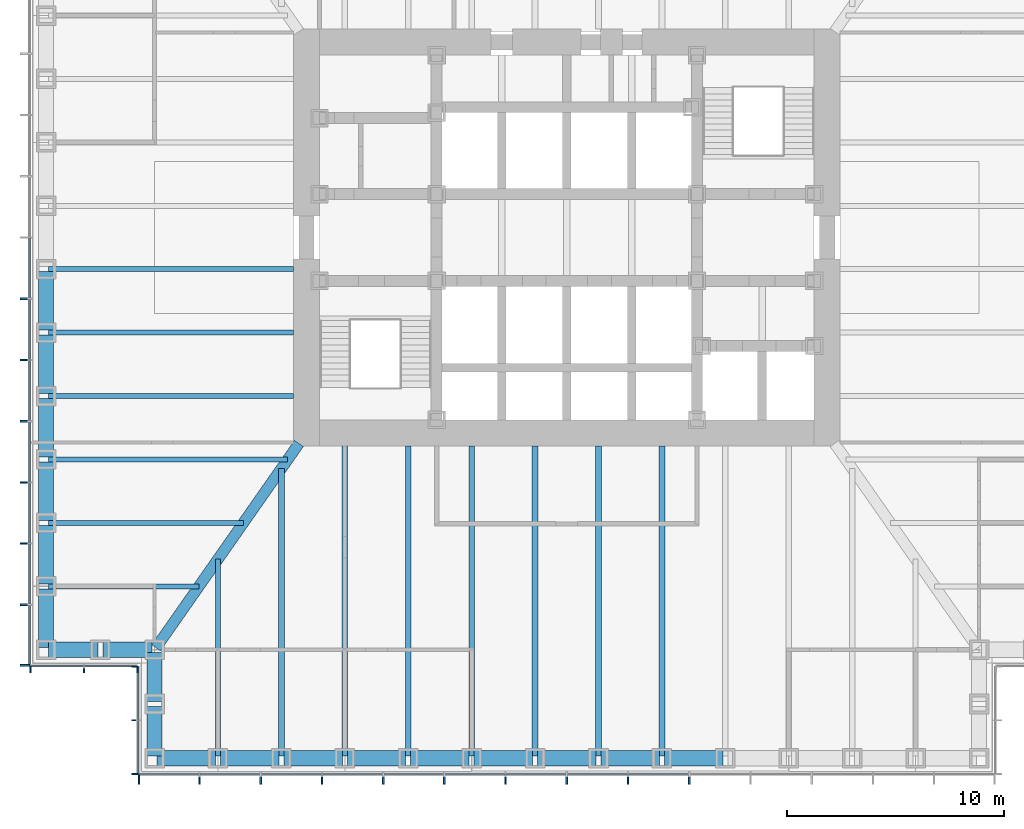
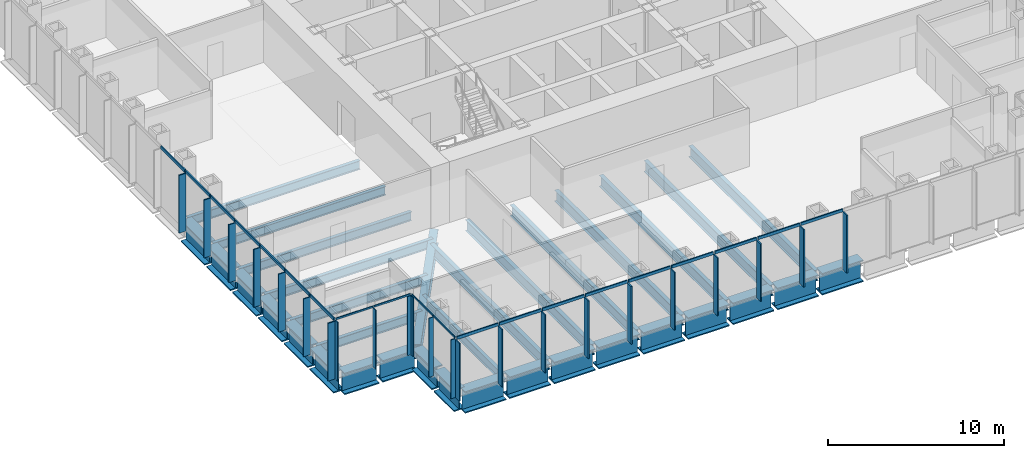
# One storey, part 2 of 17: 43 members, 34 beams, 4 elements without a shape of their own.
"""IFC4 building model written with IfcOpenShell, lengths in metres."""

from ifc_helpers import new_model, si_unit, direction, frame, origin, origin_2d, place, context, subcontext, project, spatial, rectangle, i_section, extrude, material, material_profile, profile_set, type_object, element, aggregate, save


model = new_model("IFC4")

# Units and contexts
model_context = context("Model", 3, precision=1e-05, world=origin(), true_north=direction((0.0, 1.0)))
body_context = subcontext(model_context, "Body", "Model", "MODEL_VIEW")
ifc_project = project(units=[si_unit("LENGTHUNIT", "METRE"), si_unit("AREAUNIT", "SQUARE_METRE"), si_unit("VOLUMEUNIT", "CUBIC_METRE"), si_unit("PLANEANGLEUNIT", "RADIAN"), si_unit("MASSUNIT", "GRAM", prefix="KILO")], contexts=[model_context])

# Site, building, storey
site_placement = place(None, origin())
site = spatial("IfcSite", under=ifc_project, at=site_placement, CompositionType="ELEMENT")
building_placement = place(site_placement, origin())
building = spatial("IfcBuilding", under=site, at=building_placement, Name="Daluyong Arena Tower", CompositionType="ELEMENT")
storey_placement = place(building_placement, frame((0.0, 0.0, 85.300048828125)))
storey = spatial("IfcBuildingStorey", under=building, at=storey_placement, Name="L18", CompositionType="ELEMENT", Elevation=85.300048828125)

# Curtain wall, members
ifc_material_1 = material(Name="Bronze anodised aluminium and glass", Category="aluminium")
curtain_wall_type_1 = type_object("IfcCurtainWallType", Name="Curtain wall CW1", PredefinedType="USERDEFINED", material=ifc_material_1)
curtain_wall_1_placement = place(storey_placement, origin())
curtain_wall_1 = element("IfcCurtainWall", 1, at=curtain_wall_1_placement, inside=storey, type_object=curtain_wall_type_1, Name="curtain wall L18 S", ObjectType="UNITISED CURTAIN WALL", PredefinedType="USERDEFINED")
ifc_material_2 = material(Name="Bronze anodised aluminium fin", Category="aluminium")
ifc_material_profile_1 = material_profile(ifc_material_2, rectangle(XDim=0.449951171875, YDim=0.080078125, at=origin_2d()))
ifc_profile_set_1 = profile_set([ifc_material_profile_1], Name="Bronze anodised aluminium fin")
member_type_1 = type_object("IfcMemberType", Name="CW1 bronze fin 450x80", PredefinedType="MULLION", material=ifc_profile_set_1)
member_1_placement = place(storey_placement, frame((36.2900390625, 55.02490234375, 0.0), z_axis=(0.0, 0.0, 1.0), x_axis=(0.0, 1.0, 0.0)))
member_1 = element("IfcMember", 2, at=member_1_placement, type_object=member_type_1, Name="curtain wall L18 S fin 1", PredefinedType="MULLION", context=body_context, shape_type="SweptSolid", body=[
    extrude(rectangle(XDim=0.449951171875, YDim=0.080078125, at=origin_2d()), origin(), (0.0, 0.0, 1.0), 4.0),
])
member_2_placement = place(storey_placement, frame((39.071533203125, 55.02490234375, 0.0), z_axis=(0.0, 0.0, 1.0), x_axis=(0.0, 1.0, 0.0)))
member_2 = element("IfcMember", 3, at=member_2_placement, type_object=member_type_1, Name="curtain wall L18 S fin 2", PredefinedType="MULLION", context=body_context, shape_type="SweptSolid", body=[
    extrude(rectangle(XDim=0.449951171875, YDim=0.080078125, at=origin_2d()), origin(), (0.0, 0.0, 1.0), 4.0),
])
member_3_placement = place(storey_placement, frame((41.892822265625, 55.02490234375, 0.0), z_axis=(0.0, 0.0, 1.0), x_axis=(0.0, 1.0, 0.0)))
member_3 = element("IfcMember", 4, at=member_3_placement, type_object=member_type_1, Name="curtain wall L18 S fin 3", PredefinedType="MULLION", context=body_context, shape_type="SweptSolid", body=[
    extrude(rectangle(XDim=0.449951171875, YDim=0.080078125, at=origin_2d()), origin(), (0.0, 0.0, 1.0), 4.0),
])
member_4_placement = place(storey_placement, frame((44.71435546875, 55.02490234375, 0.0), z_axis=(0.0, 0.0, 1.0), x_axis=(0.0, 1.0, 0.0)))
member_4 = element("IfcMember", 5, at=member_4_placement, type_object=member_type_1, Name="curtain wall L18 S fin 4", PredefinedType="MULLION", context=body_context, shape_type="SweptSolid", body=[
    extrude(rectangle(XDim=0.449951171875, YDim=0.080078125, at=origin_2d()), origin(), (0.0, 0.0, 1.0), 4.0),
])
member_5_placement = place(storey_placement, frame((47.53564453125, 55.02490234375, 0.0), z_axis=(0.0, 0.0, 1.0), x_axis=(0.0, 1.0, 0.0)))
member_5 = element("IfcMember", 6, at=member_5_placement, type_object=member_type_1, Name="curtain wall L18 S fin 5", PredefinedType="MULLION", context=body_context, shape_type="SweptSolid", body=[
    extrude(rectangle(XDim=0.449951171875, YDim=0.080078125, at=origin_2d()), origin(), (0.0, 0.0, 1.0), 4.0),
])
member_6_placement = place(storey_placement, frame((50.357177734375, 55.02490234375, 0.0), z_axis=(0.0, 0.0, 1.0), x_axis=(0.0, 1.0, 0.0)))
member_6 = element("IfcMember", 7, at=member_6_placement, type_object=member_type_1, Name="curtain wall L18 S fin 6", PredefinedType="MULLION", context=body_context, shape_type="SweptSolid", body=[
    extrude(rectangle(XDim=0.449951171875, YDim=0.080078125, at=origin_2d()), origin(), (0.0, 0.0, 1.0), 4.0),
])
member_7_placement = place(storey_placement, frame((53.178466796875, 55.02490234375, 0.0), z_axis=(0.0, 0.0, 1.0), x_axis=(0.0, 1.0, 0.0)))
member_7 = element("IfcMember", 8, at=member_7_placement, type_object=member_type_1, Name="curtain wall L18 S fin 7", PredefinedType="MULLION", context=body_context, shape_type="SweptSolid", body=[
    extrude(rectangle(XDim=0.449951171875, YDim=0.080078125, at=origin_2d()), origin(), (0.0, 0.0, 1.0), 4.0),
])
member_8_placement = place(storey_placement, frame((56.0, 55.02490234375, 0.0), z_axis=(0.0, 0.0, 1.0), x_axis=(0.0, 1.0, 0.0)))
member_8 = element("IfcMember", 9, at=member_8_placement, type_object=member_type_1, Name="curtain wall L18 S fin 8", PredefinedType="MULLION", context=body_context, shape_type="SweptSolid", body=[
    extrude(rectangle(XDim=0.449951171875, YDim=0.080078125, at=origin_2d()), origin(), (0.0, 0.0, 1.0), 4.0),
])
member_9_placement = place(storey_placement, frame((58.821533203125, 55.02490234375, 0.0), z_axis=(0.0, 0.0, 1.0), x_axis=(0.0, 1.0, 0.0)))
member_9 = element("IfcMember", 10, at=member_9_placement, type_object=member_type_1, Name="curtain wall L18 S fin 9", PredefinedType="MULLION", context=body_context, shape_type="SweptSolid", body=[
    extrude(rectangle(XDim=0.449951171875, YDim=0.080078125, at=origin_2d()), origin(), (0.0, 0.0, 1.0), 4.0),
])
member_10_placement = place(storey_placement, frame((61.642822265625, 55.02490234375, 0.0), z_axis=(0.0, 0.0, 1.0), x_axis=(0.0, 1.0, 0.0)))
member_10 = element("IfcMember", 11, at=member_10_placement, type_object=member_type_1, Name="curtain wall L18 S fin 10", PredefinedType="MULLION", context=body_context, shape_type="SweptSolid", body=[
    extrude(rectangle(XDim=0.449951171875, YDim=0.080078125, at=origin_2d()), origin(), (0.0, 0.0, 1.0), 4.0),
])

curtain_wall_2_placement = place(storey_placement, origin())
curtain_wall_2 = element("IfcCurtainWall", 12, at=curtain_wall_2_placement, inside=storey, type_object=curtain_wall_type_1, Name="curtain wall L18 W", ObjectType="UNITISED CURTAIN WALL", PredefinedType="USERDEFINED")
member_11_placement = place(storey_placement, frame((31.02490234375, 77.178466796875, 0.0), z_axis=(0.0, 0.0, 1.0), x_axis=(1.0, 0.0, 0.0)))
member_11 = element("IfcMember", 13, at=member_11_placement, type_object=member_type_1, Name="curtain wall L18 W fin 9", PredefinedType="MULLION", context=body_context, shape_type="SweptSolid", body=[
    extrude(rectangle(XDim=0.449951171875, YDim=0.080078125, at=origin_2d()), origin(), (0.0, 0.0, 1.0), 4.0),
])
member_12_placement = place(storey_placement, frame((31.02490234375, 74.357177734375, 0.0), z_axis=(0.0, 0.0, 1.0), x_axis=(1.0, 0.0, 0.0)))
member_12 = element("IfcMember", 14, at=member_12_placement, type_object=member_type_1, Name="curtain wall L18 W fin 10", PredefinedType="MULLION", context=body_context, shape_type="SweptSolid", body=[
    extrude(rectangle(XDim=0.449951171875, YDim=0.080078125, at=origin_2d()), origin(), (0.0, 0.0, 1.0), 4.0),
])
member_13_placement = place(storey_placement, frame((31.02490234375, 71.53564453125, 0.0), z_axis=(0.0, 0.0, 1.0), x_axis=(1.0, 0.0, 0.0)))
member_13 = element("IfcMember", 15, at=member_13_placement, type_object=member_type_1, Name="curtain wall L18 W fin 11", PredefinedType="MULLION", context=body_context, shape_type="SweptSolid", body=[
    extrude(rectangle(XDim=0.449951171875, YDim=0.080078125, at=origin_2d()), origin(), (0.0, 0.0, 1.0), 4.0),
])
member_14_placement = place(storey_placement, frame((31.02490234375, 68.71435546875, 0.0), z_axis=(0.0, 0.0, 1.0), x_axis=(1.0, 0.0, 0.0)))
member_14 = element("IfcMember", 16, at=member_14_placement, type_object=member_type_1, Name="curtain wall L18 W fin 12", PredefinedType="MULLION", context=body_context, shape_type="SweptSolid", body=[
    extrude(rectangle(XDim=0.449951171875, YDim=0.080078125, at=origin_2d()), origin(), (0.0, 0.0, 1.0), 4.0),
])
member_15_placement = place(storey_placement, frame((31.02490234375, 65.892822265625, 0.0), z_axis=(0.0, 0.0, 1.0), x_axis=(1.0, 0.0, 0.0)))
member_15 = element("IfcMember", 17, at=member_15_placement, type_object=member_type_1, Name="curtain wall L18 W fin 13", PredefinedType="MULLION", context=body_context, shape_type="SweptSolid", body=[
    extrude(rectangle(XDim=0.449951171875, YDim=0.080078125, at=origin_2d()), origin(), (0.0, 0.0, 1.0), 4.0),
])
member_16_placement = place(storey_placement, frame((31.02490234375, 63.071533203125, 0.0), z_axis=(0.0, 0.0, 1.0), x_axis=(1.0, 0.0, 0.0)))
member_16 = element("IfcMember", 18, at=member_16_placement, type_object=member_type_1, Name="curtain wall L18 W fin 14", PredefinedType="MULLION", context=body_context, shape_type="SweptSolid", body=[
    extrude(rectangle(XDim=0.449951171875, YDim=0.080078125, at=origin_2d()), origin(), (0.0, 0.0, 1.0), 4.0),
])
member_17_placement = place(storey_placement, frame((31.02490234375, 60.2900390625, 0.0), z_axis=(0.0, 0.0, 1.0), x_axis=(1.0, 0.0, 0.0)))
member_17 = element("IfcMember", 19, at=member_17_placement, type_object=member_type_1, Name="curtain wall L18 W fin 15", PredefinedType="MULLION", context=body_context, shape_type="SweptSolid", body=[
    extrude(rectangle(XDim=0.449951171875, YDim=0.080078125, at=origin_2d()), origin(), (0.0, 0.0, 1.0), 4.0),
])

# Member
ifc_material_3 = material(Name="Bronze anodised aluminium", Category="aluminium")
ifc_material_profile_2 = material_profile(ifc_material_3, rectangle(XDim=0.080078125, YDim=0.199951171875, at=origin_2d()))
ifc_profile_set_2 = profile_set([ifc_material_profile_2], Name="Bronze anodised aluminium")
member_type_2 = type_object("IfcMemberType", Name="CW1 stack transom 200x80", PredefinedType="USERDEFINED", material=ifc_profile_set_2)
member_18_placement = place(storey_placement, frame((36.330078125, 55.25, 4.099853515625), z_axis=(1.0, 0.0, 0.0), x_axis=(0.0, 1.0, 0.0)))
member_18 = element("IfcMember", 20, at=member_18_placement, type_object=member_type_2, Name="curtain wall L18 S transom 1", ObjectType="TRANSOM", PredefinedType="USERDEFINED", context=body_context, shape_type="SweptSolid", body=[
    extrude(rectangle(XDim=0.080078125, YDim=0.199951171875, at=origin_2d()), origin(), (0.0, 0.0, 1.0), 2.701416015625),
])

member_19_placement = place(storey_placement, frame((39.111328125, 55.25, 4.099853515625), z_axis=(1.0, 0.0, 0.0), x_axis=(0.0, 1.0, 0.0)))
member_19 = element("IfcMember", 21, at=member_19_placement, type_object=member_type_2, Name="curtain wall L18 S transom 2", ObjectType="TRANSOM", PredefinedType="USERDEFINED", context=body_context, shape_type="SweptSolid", body=[
    extrude(rectangle(XDim=0.080078125, YDim=0.199951171875, at=origin_2d()), origin(), (0.0, 0.0, 1.0), 2.741455078125),
])

member_20_placement = place(storey_placement, frame((41.932861328125, 55.25, 4.099853515625), z_axis=(1.0, 0.0, 0.0), x_axis=(0.0, 1.0, 0.0)))
member_20 = element("IfcMember", 22, at=member_20_placement, type_object=member_type_2, Name="curtain wall L18 S transom 3", ObjectType="TRANSOM", PredefinedType="USERDEFINED", context=body_context, shape_type="SweptSolid", body=[
    extrude(rectangle(XDim=0.080078125, YDim=0.199951171875, at=origin_2d()), origin(), (0.0, 0.0, 1.0), 2.741455078125),
])

member_21_placement = place(storey_placement, frame((44.75439453125, 55.25, 4.099853515625), z_axis=(1.0, 0.0, 0.0), x_axis=(0.0, 1.0, 0.0)))
member_21 = element("IfcMember", 23, at=member_21_placement, type_object=member_type_2, Name="curtain wall L18 S transom 4", ObjectType="TRANSOM", PredefinedType="USERDEFINED", context=body_context, shape_type="SweptSolid", body=[
    extrude(rectangle(XDim=0.080078125, YDim=0.199951171875, at=origin_2d()), origin(), (0.0, 0.0, 1.0), 2.7412109375),
])

member_22_placement = place(storey_placement, frame((47.57568359375, 55.25, 4.099853515625), z_axis=(1.0, 0.0, 0.0), x_axis=(0.0, 1.0, 0.0)))
member_22 = element("IfcMember", 24, at=member_22_placement, type_object=member_type_2, Name="curtain wall L18 S transom 5", ObjectType="TRANSOM", PredefinedType="USERDEFINED", context=body_context, shape_type="SweptSolid", body=[
    extrude(rectangle(XDim=0.080078125, YDim=0.199951171875, at=origin_2d()), origin(), (0.0, 0.0, 1.0), 2.741455078125),
])

member_23_placement = place(storey_placement, frame((50.397216796875, 55.25, 4.099853515625), z_axis=(1.0, 0.0, 0.0), x_axis=(0.0, 1.0, 0.0)))
member_23 = element("IfcMember", 25, at=member_23_placement, type_object=member_type_2, Name="curtain wall L18 S transom 6", ObjectType="TRANSOM", PredefinedType="USERDEFINED", context=body_context, shape_type="SweptSolid", body=[
    extrude(rectangle(XDim=0.080078125, YDim=0.199951171875, at=origin_2d()), origin(), (0.0, 0.0, 1.0), 2.741455078125),
])

member_24_placement = place(storey_placement, frame((53.218505859375, 55.25, 4.099853515625), z_axis=(1.0, 0.0, 0.0), x_axis=(0.0, 1.0, 0.0)))
member_24 = element("IfcMember", 26, at=member_24_placement, type_object=member_type_2, Name="curtain wall L18 S transom 7", ObjectType="TRANSOM", PredefinedType="USERDEFINED", context=body_context, shape_type="SweptSolid", body=[
    extrude(rectangle(XDim=0.080078125, YDim=0.199951171875, at=origin_2d()), origin(), (0.0, 0.0, 1.0), 2.741455078125),
])

member_25_placement = place(storey_placement, frame((56.0400390625, 55.25, 4.099853515625), z_axis=(1.0, 0.0, 0.0), x_axis=(0.0, 1.0, 0.0)))
member_25 = element("IfcMember", 27, at=member_25_placement, type_object=member_type_2, Name="curtain wall L18 S transom 8", ObjectType="TRANSOM", PredefinedType="USERDEFINED", context=body_context, shape_type="SweptSolid", body=[
    extrude(rectangle(XDim=0.080078125, YDim=0.199951171875, at=origin_2d()), origin(), (0.0, 0.0, 1.0), 2.741455078125),
])

member_26_placement = place(storey_placement, frame((58.861328125, 55.25, 4.099853515625), z_axis=(1.0, 0.0, 0.0), x_axis=(0.0, 1.0, 0.0)))
member_26 = element("IfcMember", 28, at=member_26_placement, type_object=member_type_2, Name="curtain wall L18 S transom 9", ObjectType="TRANSOM", PredefinedType="USERDEFINED", context=body_context, shape_type="SweptSolid", body=[
    extrude(rectangle(XDim=0.080078125, YDim=0.199951171875, at=origin_2d()), origin(), (0.0, 0.0, 1.0), 2.741455078125),
])

aggregate(curtain_wall_1, [member_1, member_2, member_3, member_4, member_5, member_6, member_7, member_8, member_9, member_10, member_18, member_19, member_20, member_21, member_22, member_23, member_24, member_25, member_26])

member_27_placement = place(storey_placement, frame((31.25, 79.9599609375, 4.099853515625), z_axis=(0.0, -1.0, 0.0), x_axis=(1.0, 0.0, 0.0)))
member_27 = element("IfcMember", 29, at=member_27_placement, type_object=member_type_2, Name="curtain wall L18 W transom 8", ObjectType="TRANSOM", PredefinedType="USERDEFINED", context=body_context, shape_type="SweptSolid", body=[
    extrude(rectangle(XDim=0.080078125, YDim=0.199951171875, at=origin_2d()), origin(), (0.0, 0.0, 1.0), 2.741455078125),
])

member_28_placement = place(storey_placement, frame((31.25, 77.138671875, 4.099853515625), z_axis=(0.0, -1.0, 0.0), x_axis=(1.0, 0.0, 0.0)))
member_28 = element("IfcMember", 30, at=member_28_placement, type_object=member_type_2, Name="curtain wall L18 W transom 9", ObjectType="TRANSOM", PredefinedType="USERDEFINED", context=body_context, shape_type="SweptSolid", body=[
    extrude(rectangle(XDim=0.080078125, YDim=0.199951171875, at=origin_2d()), origin(), (0.0, 0.0, 1.0), 2.741455078125),
])

member_29_placement = place(storey_placement, frame((31.25, 74.317138671875, 4.099853515625), z_axis=(0.0, -1.0, 0.0), x_axis=(1.0, 0.0, 0.0)))
member_29 = element("IfcMember", 31, at=member_29_placement, type_object=member_type_2, Name="curtain wall L18 W transom 10", ObjectType="TRANSOM", PredefinedType="USERDEFINED", context=body_context, shape_type="SweptSolid", body=[
    extrude(rectangle(XDim=0.080078125, YDim=0.199951171875, at=origin_2d()), origin(), (0.0, 0.0, 1.0), 2.741455078125),
])

member_30_placement = place(storey_placement, frame((31.25, 71.49560546875, 4.099853515625), z_axis=(0.0, -1.0, 0.0), x_axis=(1.0, 0.0, 0.0)))
member_30 = element("IfcMember", 32, at=member_30_placement, type_object=member_type_2, Name="curtain wall L18 W transom 11", ObjectType="TRANSOM", PredefinedType="USERDEFINED", context=body_context, shape_type="SweptSolid", body=[
    extrude(rectangle(XDim=0.080078125, YDim=0.199951171875, at=origin_2d()), origin(), (0.0, 0.0, 1.0), 2.7412109375),
])

member_31_placement = place(storey_placement, frame((31.25, 68.67431640625, 4.099853515625), z_axis=(0.0, -1.0, 0.0), x_axis=(1.0, 0.0, 0.0)))
member_31 = element("IfcMember", 33, at=member_31_placement, type_object=member_type_2, Name="curtain wall L18 W transom 12", ObjectType="TRANSOM", PredefinedType="USERDEFINED", context=body_context, shape_type="SweptSolid", body=[
    extrude(rectangle(XDim=0.080078125, YDim=0.199951171875, at=origin_2d()), origin(), (0.0, 0.0, 1.0), 2.741455078125),
])

member_32_placement = place(storey_placement, frame((31.25, 65.852783203125, 4.099853515625), z_axis=(0.0, -1.0, 0.0), x_axis=(1.0, 0.0, 0.0)))
member_32 = element("IfcMember", 34, at=member_32_placement, type_object=member_type_2, Name="curtain wall L18 W transom 13", ObjectType="TRANSOM", PredefinedType="USERDEFINED", context=body_context, shape_type="SweptSolid", body=[
    extrude(rectangle(XDim=0.080078125, YDim=0.199951171875, at=origin_2d()), origin(), (0.0, 0.0, 1.0), 2.741455078125),
])

member_33_placement = place(storey_placement, frame((31.25, 63.031494140625, 4.099853515625), z_axis=(0.0, -1.0, 0.0), x_axis=(1.0, 0.0, 0.0)))
member_33 = element("IfcMember", 35, at=member_33_placement, type_object=member_type_2, Name="curtain wall L18 W transom 14", ObjectType="TRANSOM", PredefinedType="USERDEFINED", context=body_context, shape_type="SweptSolid", body=[
    extrude(rectangle(XDim=0.080078125, YDim=0.199951171875, at=origin_2d()), origin(), (0.0, 0.0, 1.0), 2.701416015625),
])

aggregate(curtain_wall_2, [member_11, member_12, member_13, member_14, member_15, member_16, member_17, member_27, member_28, member_29, member_30, member_31, member_32, member_33])

# Curtain wall, members
ifc_material_4 = material(Name="Bronze anodised aluminium and glass", Category="aluminium")
curtain_wall_type_2 = type_object("IfcCurtainWallType", Name="Curtain wall CW7", PredefinedType="USERDEFINED", material=ifc_material_4)
curtain_wall_3_placement = place(storey_placement, origin())
curtain_wall_3 = element("IfcCurtainWall", 36, at=curtain_wall_3_placement, inside=storey, type_object=curtain_wall_type_2, Name="curtain wall L18 SW-S", ObjectType="UNITISED CURTAIN WALL", PredefinedType="USERDEFINED")
ifc_material_5 = material(Name="Bronze anodised aluminium fin", Category="aluminium")
ifc_material_profile_3 = material_profile(ifc_material_5, rectangle(XDim=0.300048828125, YDim=0.06005859375, at=origin_2d()))
ifc_profile_set_3 = profile_set([ifc_material_profile_3], Name="Bronze anodised aluminium fin")
member_type_3 = type_object("IfcMemberType", Name="CW7 bronze fin 300x60", PredefinedType="MULLION", material=ifc_profile_set_3)
member_34_placement = place(storey_placement, frame((31.280029296875, 60.10009765625, 0.0), z_axis=(0.0, 0.0, 1.0), x_axis=(0.0, 1.0, 0.0)))
member_34 = element("IfcMember", 37, at=member_34_placement, type_object=member_type_3, Name="curtain wall L18 SW-S fin 1", PredefinedType="MULLION", context=body_context, shape_type="SweptSolid", body=[
    extrude(rectangle(XDim=0.300048828125, YDim=0.06005859375, at=origin_2d()), origin(), (0.0, 0.0, 1.0), 4.079833984375),
])
member_35_placement = place(storey_placement, frame((33.75, 60.10009765625, 0.0), z_axis=(0.0, 0.0, 1.0), x_axis=(0.0, 1.0, 0.0)))
member_35 = element("IfcMember", 38, at=member_35_placement, type_object=member_type_3, Name="curtain wall L18 SW-S fin 2", PredefinedType="MULLION", context=body_context, shape_type="SweptSolid", body=[
    extrude(rectangle(XDim=0.300048828125, YDim=0.06005859375, at=origin_2d()), origin(), (0.0, 0.0, 1.0), 4.079833984375),
])
member_36_placement = place(storey_placement, frame((36.219970703125, 60.10009765625, 0.0), z_axis=(0.0, 0.0, 1.0), x_axis=(0.0, 1.0, 0.0)))
member_36 = element("IfcMember", 39, at=member_36_placement, type_object=member_type_3, Name="curtain wall L18 SW-S fin 3", PredefinedType="MULLION", context=body_context, shape_type="SweptSolid", body=[
    extrude(rectangle(XDim=0.300048828125, YDim=0.06005859375, at=origin_2d()), origin(), (0.0, 0.0, 1.0), 4.079833984375),
])

curtain_wall_4_placement = place(storey_placement, origin())
curtain_wall_4 = element("IfcCurtainWall", 40, at=curtain_wall_4_placement, inside=storey, type_object=curtain_wall_type_2, Name="curtain wall L18 SW-W", ObjectType="UNITISED CURTAIN WALL", PredefinedType="USERDEFINED")
member_37_placement = place(storey_placement, frame((36.10009765625, 60.219970703125, 0.0), z_axis=(0.0, 0.0, 1.0), x_axis=(1.0, 0.0, 0.0)))
member_37 = element("IfcMember", 41, at=member_37_placement, type_object=member_type_3, Name="curtain wall L18 SW-W fin 1", PredefinedType="MULLION", context=body_context, shape_type="SweptSolid", body=[
    extrude(rectangle(XDim=0.300048828125, YDim=0.06005859375, at=origin_2d()), origin(), (0.0, 0.0, 1.0), 4.079833984375),
])
member_38_placement = place(storey_placement, frame((36.10009765625, 57.75, 0.0), z_axis=(0.0, 0.0, 1.0), x_axis=(1.0, 0.0, 0.0)))
member_38 = element("IfcMember", 42, at=member_38_placement, type_object=member_type_3, Name="curtain wall L18 SW-W fin 2", PredefinedType="MULLION", context=body_context, shape_type="SweptSolid", body=[
    extrude(rectangle(XDim=0.300048828125, YDim=0.06005859375, at=origin_2d()), origin(), (0.0, 0.0, 1.0), 4.079833984375),
])
member_39_placement = place(storey_placement, frame((36.10009765625, 55.280029296875, 0.0), z_axis=(0.0, 0.0, 1.0), x_axis=(1.0, 0.0, 0.0)))
member_39 = element("IfcMember", 43, at=member_39_placement, type_object=member_type_3, Name="curtain wall L18 SW-W fin 3", PredefinedType="MULLION", context=body_context, shape_type="SweptSolid", body=[
    extrude(rectangle(XDim=0.300048828125, YDim=0.06005859375, at=origin_2d()), origin(), (0.0, 0.0, 1.0), 4.079833984375),
])

# Member
ifc_material_6 = material(Name="Bronze anodised aluminium", Category="aluminium")
ifc_material_profile_4 = material_profile(ifc_material_6, rectangle(XDim=0.06005859375, YDim=0.1201171875, at=origin_2d()))
ifc_profile_set_4 = profile_set([ifc_material_profile_4], Name="Bronze anodised aluminium")
member_type_4 = type_object("IfcMemberType", Name="CW7 stack transom 120x60", PredefinedType="USERDEFINED", material=ifc_profile_set_4)
member_40_placement = place(storey_placement, frame((31.31005859375, 60.25, 4.139892578125), z_axis=(1.0, 0.0, 0.0), x_axis=(0.0, 1.0, 0.0)))
member_40 = element("IfcMember", 44, at=member_40_placement, type_object=member_type_4, Name="curtain wall L18 SW-S transom 1", ObjectType="TRANSOM", PredefinedType="USERDEFINED", context=body_context, shape_type="SweptSolid", body=[
    extrude(rectangle(XDim=0.06005859375, YDim=0.1201171875, at=origin_2d()), origin(), (0.0, 0.0, 1.0), 2.409912109375),
])

member_41_placement = place(storey_placement, frame((33.780029296875, 60.25, 4.139892578125), z_axis=(1.0, 0.0, 0.0), x_axis=(0.0, 1.0, 0.0)))
member_41 = element("IfcMember", 45, at=member_41_placement, type_object=member_type_4, Name="curtain wall L18 SW-S transom 2", ObjectType="TRANSOM", PredefinedType="USERDEFINED", context=body_context, shape_type="SweptSolid", body=[
    extrude(rectangle(XDim=0.06005859375, YDim=0.1201171875, at=origin_2d()), origin(), (0.0, 0.0, 1.0), 2.409912109375),
])

aggregate(curtain_wall_3, [member_34, member_35, member_36, member_40, member_41])

member_42_placement = place(storey_placement, frame((36.25, 60.18994140625, 4.139892578125), z_axis=(0.0, -1.0, 0.0), x_axis=(1.0, 0.0, 0.0)))
member_42 = element("IfcMember", 46, at=member_42_placement, type_object=member_type_4, Name="curtain wall L18 SW-W transom 1", ObjectType="TRANSOM", PredefinedType="USERDEFINED", context=body_context, shape_type="SweptSolid", body=[
    extrude(rectangle(XDim=0.06005859375, YDim=0.1201171875, at=origin_2d()), origin(), (0.0, 0.0, 1.0), 2.409912109375),
])

member_43_placement = place(storey_placement, frame((36.25, 57.719970703125, 4.139892578125), z_axis=(0.0, -1.0, 0.0), x_axis=(1.0, 0.0, 0.0)))
member_43 = element("IfcMember", 47, at=member_43_placement, type_object=member_type_4, Name="curtain wall L18 SW-W transom 2", ObjectType="TRANSOM", PredefinedType="USERDEFINED", context=body_context, shape_type="SweptSolid", body=[
    extrude(rectangle(XDim=0.06005859375, YDim=0.1201171875, at=origin_2d()), origin(), (0.0, 0.0, 1.0), 2.409912109375),
])

aggregate(curtain_wall_4, [member_37, member_38, member_39, member_42, member_43])

# Beams
ifc_material_7 = material(Name="Steel ASTM A572 Grade 50", Category="steel")
ifc_material_profile_5 = material_profile(ifc_material_7, i_section(OverallWidth=0.5, OverallDepth=1.0, WebThickness=0.03, FlangeThickness=0.06, at=origin_2d()))
ifc_profile_set_5 = profile_set([ifc_material_profile_5], Name="Steel ASTM A572 Grade 50")
beam_type_1 = type_object("IfcBeamType", Name="Corner girder TB1000X500", PredefinedType="BEAM", material=ifc_profile_set_5)
beam_1_placement = place(storey_placement, frame((37.06591796875, 61.09423828125, -0.66015625), z_axis=(0.573466621875, 0.819228926244, 0.0), x_axis=(-0.819228926244, 0.573466621875, 0.0)))
element("IfcBeam", 48, at=beam_1_placement, inside=storey, type_object=beam_type_1, Name="corner girder DG2", PredefinedType="BEAM", context=body_context, shape_type="SweptSolid", body=[
    extrude(i_section(OverallWidth=0.5, OverallDepth=1.0, WebThickness=0.03, FlangeThickness=0.06, at=origin_2d()), origin(), (0.0, 0.0, 1.0), 11.49169921875),
])
ifc_material_8 = material(Name="Steel ASTM A992 Grade 50", Category="steel")
ifc_material_profile_6 = material_profile(ifc_material_8, i_section(OverallWidth=0.22900390625, OverallDepth=0.612060546875, WebThickness=0.011962890625, FlangeThickness=0.01953125, at=origin_2d()))
ifc_profile_set_6 = profile_set([ifc_material_profile_6], Name="Steel ASTM A992 Grade 50")
beam_type_2 = type_object("IfcBeamType", Name="Floor beam W24X84", PredefinedType="BEAM", material=ifc_profile_set_6)
beam_2_placement = place(storey_placement, frame((39.923095703125, 56.114990234375, -0.466064453125), z_axis=(0.0, 1.0, 0.0), x_axis=(-1.0, 0.0, 0.0)))
element("IfcBeam", 49, at=beam_2_placement, inside=storey, type_object=beam_type_2, Name="floor beam FB3", PredefinedType="BEAM", context=body_context, shape_type="SweptSolid", body=[
    extrude(i_section(OverallWidth=0.22900390625, OverallDepth=0.612060546875, WebThickness=0.011962890625, FlangeThickness=0.01953125, at=origin_2d()), origin(), (0.0, 0.0, 1.0), 9.060791015625),
])
for number, where, z_axis, x_axis, name in (
    (50, (32.114990234375, 78.53857421875, -0.466064453125), (1.0, 0.0, 0.0), (0.0, 1.0, 0.0), "floor beam FB3"),
    (51, (32.114990234375, 75.615478515625, -0.466064453125), (1.0, 0.0, 0.0), (0.0, 1.0, 0.0), "floor beam FB3"),
    (52, (32.114990234375, 72.6923828125, -0.466064453125), (1.0, 0.0, 0.0), (0.0, 1.0, 0.0), "floor beam FB3"),
):
    element("IfcBeam", number, at=place(storey_placement, frame(where, z_axis=z_axis, x_axis=x_axis)), inside=storey, type_object=beam_type_2, Name=name, PredefinedType="BEAM", context=body_context, shape_type="SweptSolid", body=[
        extrude(i_section(OverallWidth=0.22900390625, OverallDepth=0.612060546875, WebThickness=0.011962890625, FlangeThickness=0.01953125, at=origin_2d()), origin(), (0.0, 0.0, 1.0), 11.284912109375),
    ])
beam_3_placement = place(storey_placement, frame((32.114990234375, 69.769287109375, -0.466064453125), z_axis=(1.0, 0.0, 0.0), x_axis=(0.0, 1.0, 0.0)))
element("IfcBeam", 53, at=beam_3_placement, inside=storey, type_object=beam_type_2, Name="floor beam FB3", PredefinedType="BEAM", context=body_context, shape_type="SweptSolid", body=[
    extrude(i_section(OverallWidth=0.22900390625, OverallDepth=0.612060546875, WebThickness=0.011962890625, FlangeThickness=0.01953125, at=origin_2d()), origin(), (0.0, 0.0, 1.0), 11.0234375),
])
beam_4_placement = place(storey_placement, frame((32.114990234375, 66.84619140625, -0.466064453125), z_axis=(1.0, 0.0, 0.0), x_axis=(0.0, 1.0, 0.0)))
element("IfcBeam", 54, at=beam_4_placement, inside=storey, type_object=beam_type_2, Name="floor beam FB3", PredefinedType="BEAM", context=body_context, shape_type="SweptSolid", body=[
    extrude(i_section(OverallWidth=0.22900390625, OverallDepth=0.612060546875, WebThickness=0.011962890625, FlangeThickness=0.01953125, at=origin_2d()), origin(), (0.0, 0.0, 1.0), 8.977294921875),
])
beam_5_placement = place(storey_placement, frame((32.114990234375, 63.923095703125, -0.466064453125), z_axis=(1.0, 0.0, 0.0), x_axis=(0.0, 1.0, 0.0)))
element("IfcBeam", 55, at=beam_5_placement, inside=storey, type_object=beam_type_2, Name="floor beam FB3", PredefinedType="BEAM", context=body_context, shape_type="SweptSolid", body=[
    extrude(i_section(OverallWidth=0.22900390625, OverallDepth=0.612060546875, WebThickness=0.011962890625, FlangeThickness=0.01953125, at=origin_2d()), origin(), (0.0, 0.0, 1.0), 6.93115234375),
])
ifc_material_9 = material(Name="Steel ASTM A992 Grade 50", Category="steel")
ifc_material_profile_7 = material_profile(ifc_material_9, i_section(OverallWidth=0.2666015625, OverallDepth=0.761962890625, WebThickness=0.014404296875, FlangeThickness=0.021484375, at=origin_2d()))
ifc_profile_set_7 = profile_set([ifc_material_profile_7], Name="Steel ASTM A992 Grade 50")
beam_type_3 = type_object("IfcBeamType", Name="Floor beam W30X116", PredefinedType="BEAM", material=ifc_profile_set_7)
beam_6_placement = place(storey_placement, frame((42.84619140625, 56.114990234375, -0.541015625), z_axis=(0.0, 1.0, 0.0), x_axis=(-1.0, 0.0, 0.0)))
element("IfcBeam", 56, at=beam_6_placement, inside=storey, type_object=beam_type_3, Name="floor beam FB4", PredefinedType="BEAM", context=body_context, shape_type="SweptSolid", body=[
    extrude(i_section(OverallWidth=0.2666015625, OverallDepth=0.761962890625, WebThickness=0.014404296875, FlangeThickness=0.021484375, at=origin_2d()), origin(), (0.0, 0.0, 1.0), 13.236572265625),
])
for number, where, z_axis, x_axis, name in (
    (57, (45.769287109375, 56.114990234375, -0.541015625), (0.0, 1.0, 0.0), (-1.0, 0.0, 0.0), "floor beam FB4"),
    (58, (48.6923828125, 56.114990234375, -0.541015625), (0.0, 1.0, 0.0), (-1.0, 0.0, 0.0), "floor beam FB4"),
    (59, (51.615478515625, 56.114990234375, -0.541015625), (0.0, 1.0, 0.0), (-1.0, 0.0, 0.0), "floor beam FB4"),
    (60, (54.53857421875, 56.114990234375, -0.541015625), (0.0, 1.0, 0.0), (-1.0, 0.0, 0.0), "floor beam FB4"),
    (61, (57.46142578125, 56.114990234375, -0.541015625), (0.0, 1.0, 0.0), (-1.0, 0.0, 0.0), "floor beam FB4"),
    (62, (60.384521484375, 56.114990234375, -0.541015625), (0.0, 1.0, 0.0), (-1.0, 0.0, 0.0), "floor beam FB4"),
):
    element("IfcBeam", number, at=place(storey_placement, frame(where, z_axis=z_axis, x_axis=x_axis)), inside=storey, type_object=beam_type_3, Name=name, PredefinedType="BEAM", context=body_context, shape_type="SweptSolid", body=[
        extrude(i_section(OverallWidth=0.2666015625, OverallDepth=0.761962890625, WebThickness=0.014404296875, FlangeThickness=0.021484375, at=origin_2d()), origin(), (0.0, 0.0, 1.0), 14.284912109375),
    ])
ifc_material_10 = material(Name="Steel ASTM A572 Grade 50", Category="steel")
ifc_material_profile_8 = material_profile(ifc_material_10, i_section(OverallWidth=0.699951171875, OverallDepth=1.5, WebThickness=0.04, FlangeThickness=0.08, at=origin_2d()))
ifc_profile_set_8 = profile_set([ifc_material_profile_8], Name="Steel ASTM A572 Grade 50")
beam_type_4 = type_object("IfcBeamType", Name="Spandrel Z1 PG1500X700", PredefinedType="SPANDREL", material=ifc_profile_set_8)
for number, where, z_axis, x_axis, name in (
    (63, (37.114990234375, 56.0, -0.91015625), (1.0, 0.0, 0.0), (0.0, 1.0, 0.0), "spandrel z1 SB4"),
    (64, (40.0380859375, 56.0, -0.91015625), (1.0, 0.0, 0.0), (0.0, 1.0, 0.0), "spandrel z1 SB4"),
    (65, (42.961181640625, 56.0, -0.91015625), (1.0, 0.0, 0.0), (0.0, 1.0, 0.0), "spandrel z1 SB4"),
    (66, (45.88427734375, 56.0, -0.91015625), (1.0, 0.0, 0.0), (0.0, 1.0, 0.0), "spandrel z1 SB4"),
    (67, (48.807373046875, 56.0, -0.91015625), (1.0, 0.0, 0.0), (0.0, 1.0, 0.0), "spandrel z1 SB4"),
    (68, (51.73046875, 56.0, -0.91015625), (1.0, 0.0, 0.0), (0.0, 1.0, 0.0), "spandrel z1 SB4"),
):
    element("IfcBeam", number, at=place(storey_placement, frame(where, z_axis=z_axis, x_axis=x_axis)), inside=storey, type_object=beam_type_4, Name=name, PredefinedType="SPANDREL", context=body_context, shape_type="SweptSolid", body=[
        extrude(i_section(OverallWidth=0.699951171875, OverallDepth=1.5, WebThickness=0.04, FlangeThickness=0.08, at=origin_2d()), origin(), (0.0, 0.0, 1.0), 2.693115234375),
    ])
beam_7_placement = place(storey_placement, frame((54.653564453125, 56.0, -0.91015625), z_axis=(1.0, 0.0, 0.0), x_axis=(0.0, 1.0, 0.0)))
element("IfcBeam", 69, at=beam_7_placement, inside=storey, type_object=beam_type_4, Name="spandrel z1 SB4", PredefinedType="SPANDREL", context=body_context, shape_type="SweptSolid", body=[
    extrude(i_section(OverallWidth=0.699951171875, OverallDepth=1.5, WebThickness=0.04, FlangeThickness=0.08, at=origin_2d()), origin(), (0.0, 0.0, 1.0), 2.69287109375),
])
for number, where, z_axis, x_axis, name in (
    (70, (57.576416015625, 56.0, -0.91015625), (1.0, 0.0, 0.0), (0.0, 1.0, 0.0), "spandrel z1 SB4"),
    (71, (60.49951171875, 56.0, -0.91015625), (1.0, 0.0, 0.0), (0.0, 1.0, 0.0), "spandrel z1 SB4"),
    (72, (32.0, 78.423583984375, -0.91015625), (0.0, -1.0, 0.0), (1.0, 0.0, 0.0), "spandrel z1 SB4"),
    (73, (32.0, 75.50048828125, -0.91015625), (0.0, -1.0, 0.0), (1.0, 0.0, 0.0), "spandrel z1 SB4"),
    (74, (32.0, 72.577392578125, -0.91015625), (0.0, -1.0, 0.0), (1.0, 0.0, 0.0), "spandrel z1 SB4"),
    (75, (32.0, 69.654296875, -0.91015625), (0.0, -1.0, 0.0), (1.0, 0.0, 0.0), "spandrel z1 SB4"),
    (76, (32.0, 66.731201171875, -0.91015625), (0.0, -1.0, 0.0), (1.0, 0.0, 0.0), "spandrel z1 SB4"),
    (77, (32.0, 63.80810546875, -0.91015625), (0.0, -1.0, 0.0), (1.0, 0.0, 0.0), "spandrel z1 SB4"),
):
    element("IfcBeam", number, at=place(storey_placement, frame(where, z_axis=z_axis, x_axis=x_axis)), inside=storey, type_object=beam_type_4, Name=name, PredefinedType="SPANDREL", context=body_context, shape_type="SweptSolid", body=[
        extrude(i_section(OverallWidth=0.699951171875, OverallDepth=1.5, WebThickness=0.04, FlangeThickness=0.08, at=origin_2d()), origin(), (0.0, 0.0, 1.0), 2.693115234375),
    ])
for number, where, z_axis, x_axis, name in (
    (78, (32.114990234375, 61.0, -0.91015625), (1.0, 0.0, 0.0), (0.0, 1.0, 0.0), "spandrel z1 SB4"),
    (79, (34.614990234375, 61.0, -0.91015625), (1.0, 0.0, 0.0), (0.0, 1.0, 0.0), "spandrel z1 SB4"),
    (80, (37.0, 60.885009765625, -0.91015625), (0.0, -1.0, 0.0), (1.0, 0.0, 0.0), "spandrel z1 SB4"),
    (81, (37.0, 58.385009765625, -0.91015625), (0.0, -1.0, 0.0), (1.0, 0.0, 0.0), "spandrel z1 SB4"),
):
    element("IfcBeam", number, at=place(storey_placement, frame(where, z_axis=z_axis, x_axis=x_axis)), inside=storey, type_object=beam_type_4, Name=name, PredefinedType="SPANDREL", context=body_context, shape_type="SweptSolid", body=[
        extrude(i_section(OverallWidth=0.699951171875, OverallDepth=1.5, WebThickness=0.04, FlangeThickness=0.08, at=origin_2d()), origin(), (0.0, 0.0, 1.0), 2.27001953125),
    ])

save(model, "model.ifc")
